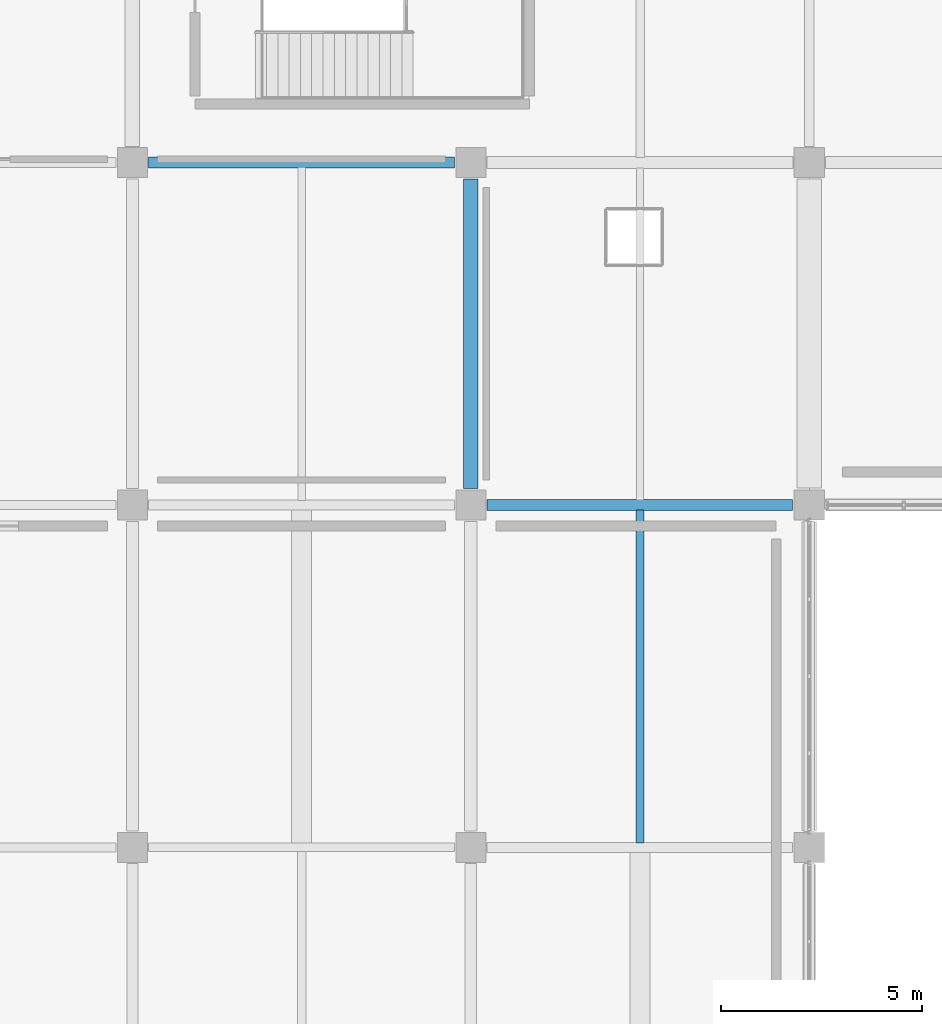
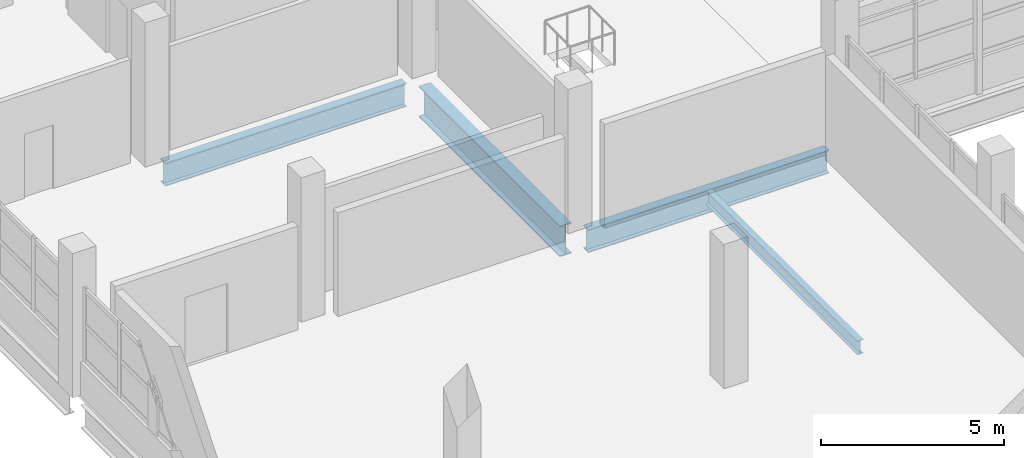
# One storey, part 37 of 117: 4 beams.
"""IFC4 building model written with IfcOpenShell, lengths in metres."""

from ifc_helpers import new_model, si_unit, direction, frame, origin, origin_2d, place, context, subcontext, project, spatial, i_section, extrude, material, material_profile, profile_set, type_object, element, save


model = new_model("IFC4")

# Units and contexts
model_context = context("Model", 3, precision=1e-05, world=origin(), true_north=direction((0.0, 1.0)))
body_context = subcontext(model_context, "Body", "Model", "MODEL_VIEW")
ifc_project = project(units=[si_unit("LENGTHUNIT", "METRE"), si_unit("AREAUNIT", "SQUARE_METRE"), si_unit("VOLUMEUNIT", "CUBIC_METRE"), si_unit("PLANEANGLEUNIT", "RADIAN"), si_unit("MASSUNIT", "GRAM", prefix="KILO")], contexts=[model_context])

# Site, building, storey
site_placement = place(None, origin())
site = spatial("IfcSite", under=ifc_project, at=site_placement, CompositionType="ELEMENT")
building_placement = place(site_placement, origin())
building = spatial("IfcBuilding", under=site, at=building_placement, Name="Solvento Point Concert Hall", CompositionType="ELEMENT")
storey_placement = place(building_placement, frame((0.0, 0.0, 5.39990234375)))
storey = spatial("IfcBuildingStorey", under=building, at=storey_placement, Name="L01", CompositionType="ELEMENT", Elevation=5.39990234375)

# Beams
ifc_material_1 = material(Name="Structural Steel ASTM A992 Grade 50", Category="steel")
ifc_material_profile_1 = material_profile(ifc_material_1, i_section(OverallWidth=0.26806640625, OverallDepth=0.77001953125, WebThickness=0.015625, FlangeThickness=0.025390625, at=origin_2d()), Name="W30X132")
ifc_profile_set_1 = profile_set([ifc_material_profile_1], Name="Structural Steel ASTM A992 Grade 50")
beam_type_1 = type_object("IfcBeamType", Name="Girder_W30X132", PredefinedType="USERDEFINED", material=ifc_profile_set_1)
beam_1_placement = place(storey_placement, frame((16.00390625, 119.0, -0.6689453125), z_axis=(1.0, 0.0, 0.0), x_axis=(0.0, 1.0, 0.0)))
element("IfcBeam", 1, at=beam_1_placement, inside=storey, type_object=beam_type_1, Name="Primary girder B-68 L01", ObjectType="GIRDER", PredefinedType="USERDEFINED", context=body_context, shape_type="SweptSolid", body=[
    extrude(i_section(OverallWidth=0.26806640625, OverallDepth=0.77001953125, WebThickness=0.015625, FlangeThickness=0.025390625, at=origin_2d()), origin(), (0.0, 0.0, 1.0), 7.5771484375),
])
beam_2_placement = place(storey_placement, frame((7.60400390625, 127.5, -0.6689453125), z_axis=(1.0, 0.0, 0.0), x_axis=(0.0, 1.0, 0.0)))
element("IfcBeam", 2, at=beam_2_placement, inside=storey, type_object=beam_type_1, Name="Primary girder B-68 L01", ObjectType="GIRDER", PredefinedType="USERDEFINED", context=body_context, shape_type="SweptSolid", body=[
    extrude(i_section(OverallWidth=0.26806640625, OverallDepth=0.77001953125, WebThickness=0.015625, FlangeThickness=0.025390625, at=origin_2d()), origin(), (0.0, 0.0, 1.0), 7.592041015625),
])
ifc_material_2 = material(Name="Structural Steel ASTM A992 Grade 50", Category="steel")
ifc_material_profile_2 = material_profile(ifc_material_2, i_section(OverallWidth=0.361083984375, OverallDepth=1.02587890625, WebThickness=0.01904296875, FlangeThickness=0.0361328125, at=origin_2d()), Name="W40X249")
ifc_profile_set_2 = profile_set([ifc_material_profile_2], Name="Structural Steel ASTM A992 Grade 50")
beam_type_2 = type_object("IfcBeamType", Name="Girder_W40X249", PredefinedType="USERDEFINED", material=ifc_profile_set_2)
beam_3_placement = place(storey_placement, frame((15.60009765625, 119.404052734375, -0.796875), z_axis=(0.0, 1.0, 0.0), x_axis=(-1.0, 0.0, 0.0)))
element("IfcBeam", 3, at=beam_3_placement, inside=storey, type_object=beam_type_2, Name="Primary girder B-29 L01", ObjectType="GIRDER", PredefinedType="USERDEFINED", context=body_context, shape_type="SweptSolid", body=[
    extrude(i_section(OverallWidth=0.361083984375, OverallDepth=1.02587890625, WebThickness=0.01904296875, FlangeThickness=0.0361328125, at=origin_2d()), origin(), (0.0, 0.0, 1.0), 7.69189453125),
])
ifc_material_3 = material(Name="Structural Steel ASTM A992 Grade 50", Category="steel")
ifc_material_profile_3 = material_profile(ifc_material_3, i_section(OverallWidth=0.1904296875, OverallDepth=0.45703125, WebThickness=0.009033203125, FlangeThickness=0.014404296875, at=origin_2d()), Name="W18X50")
ifc_profile_set_3 = profile_set([ifc_material_profile_3], Name="Structural Steel ASTM A992 Grade 50")
beam_type_3 = type_object("IfcBeamType", Name="Joist_W18X50", PredefinedType="JOIST", material=ifc_profile_set_3)
beam_4_placement = place(storey_placement, frame((19.800048828125, 110.613037109375, -0.512451171875), z_axis=(0.0, 1.0, 0.0), x_axis=(-1.0, 0.0, 0.0)))
element("IfcBeam", 4, at=beam_4_placement, inside=storey, type_object=beam_type_3, Name="Secondary floor joist B-66 L01", PredefinedType="JOIST", context=body_context, shape_type="SweptSolid", body=[
    extrude(i_section(OverallWidth=0.1904296875, OverallDepth=0.45703125, WebThickness=0.009033203125, FlangeThickness=0.014404296875, at=origin_2d()), origin(), (0.0, 0.0, 1.0), 8.26806640625),
])

save(model, "model.ifc")
